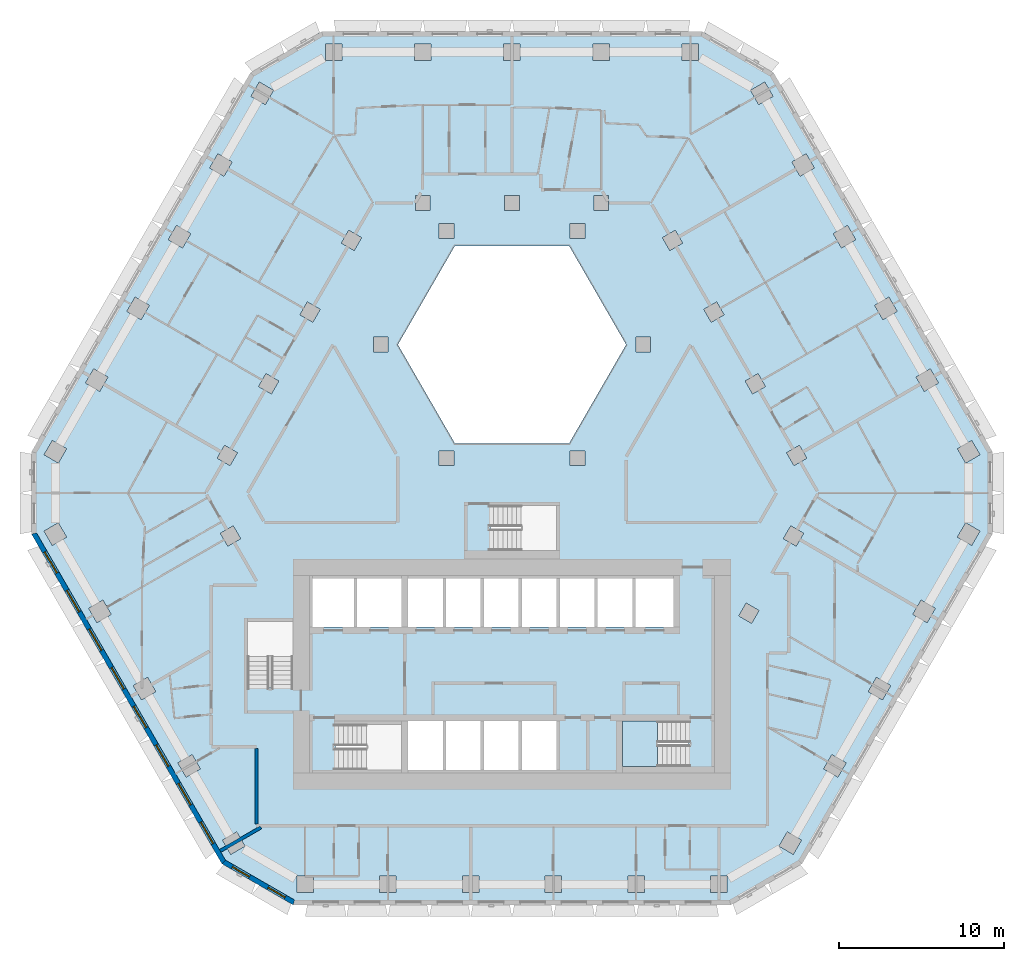
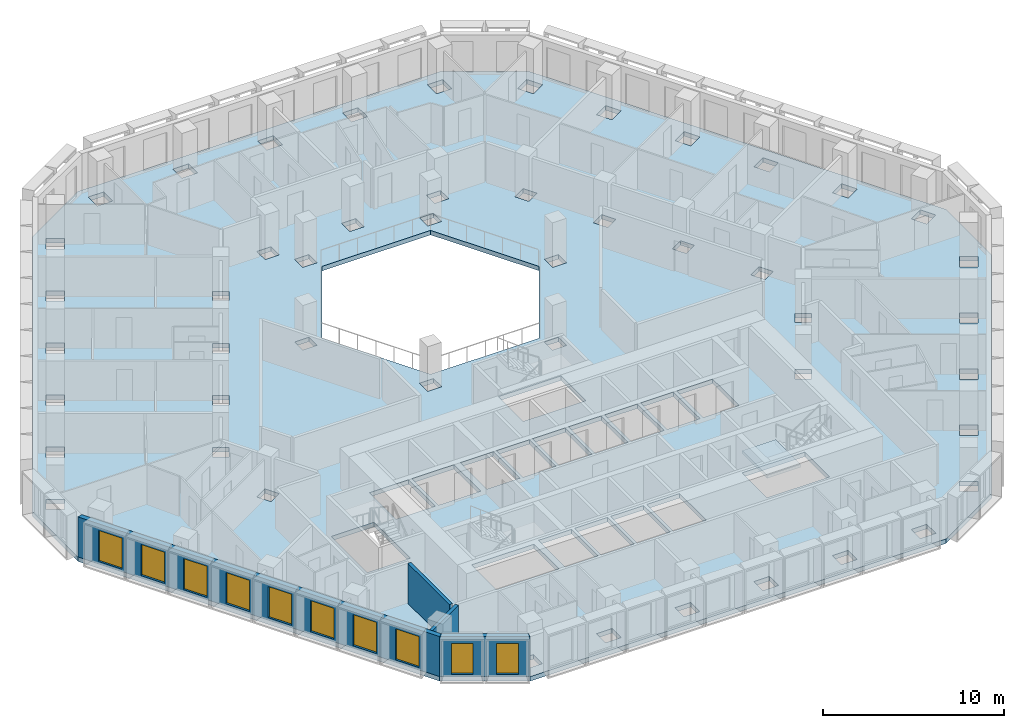
# One storey, part 2 of 18: 10 windows, 4 walls, 2 slabs, 10 openings, 1 element without a shape of its own.
"""IFC4 building model written with IfcOpenShell, lengths in metres."""

from ifc_helpers import new_model, si_unit, direction, frame, frame_2d, origin, place, context, subcontext, project, spatial, polyline, rectangle, outline, extrude, material, layer, layer_set, type_object, element, fill, aggregate, save


model = new_model("IFC4")

# Units and contexts
model_context = context("Model", 3, precision=1e-05, world=origin(), true_north=direction((0.0, 1.0)))
body_context = subcontext(model_context, "Body", "Model", "MODEL_VIEW")
ifc_project = project(units=[si_unit("LENGTHUNIT", "METRE"), si_unit("AREAUNIT", "SQUARE_METRE"), si_unit("VOLUMEUNIT", "CUBIC_METRE"), si_unit("PLANEANGLEUNIT", "RADIAN"), si_unit("MASSUNIT", "GRAM", prefix="KILO")], contexts=[model_context])

# Site, building, storey
site_placement = place(None, origin())
site = spatial("IfcSite", under=ifc_project, at=site_placement, CompositionType="ELEMENT")
building_placement = place(site_placement, origin())
building = spatial("IfcBuilding", under=site, at=building_placement, Name="Beryl Residences", CompositionType="ELEMENT")
storey_placement = place(building_placement, frame((0.0, 0.0, 87.0)))
storey = spatial("IfcBuildingStorey", under=building, at=storey_placement, Name="L26", CompositionType="ELEMENT", Elevation=87.0)

# Slab
ifc_material_1 = material(Name="Concrete C40/50", Category="concrete")
ifc_layer_1 = layer(ifc_material_1, 0.300048828125)
ifc_layer_set_1 = layer_set([ifc_layer_1], Name="SL7 PT floor slab 300 mm C40/50")
slab_type_1 = type_object("IfcSlabType", Name="SL7 PT floor slab 300 mm C40/50", PredefinedType="FLOOR", material=ifc_layer_set_1)
slab_1_placement = place(storey_placement, frame((0.0, 0.0, -0.300048828125)))
element("IfcSlab", 1, at=slab_1_placement, inside=storey, type_object=slab_type_1, Name="L26 slab 1", PredefinedType="FLOOR", context=body_context, shape_type="SweptSolid", body=[
    extrude(outline(polyline([(29.156982421875, -3.5), (17.60888671875, -23.5), (13.279052734375, -26.0), (-13.279052734375, -26.0), (-17.60888671875, -23.5), (-29.156982421875, -3.5), (-29.156982421875, 1.5), (-15.876953125, 24.5), (-11.547119140625, 27.0), (11.547119140625, 27.0), (15.876953125, 24.5), (29.156982421875, 1.5), (29.156982421875, -3.5)]), holes=[polyline([(28.39697265625, 1.31591796875), (27.89697265625, 2.181884765625), (27.031005859375, 1.681884765625), (27.531005859375, 0.81591796875), (28.39697265625, 1.31591796875)]), polyline([(28.39697265625, -3.31591796875), (27.531005859375, -2.81591796875), (27.031005859375, -3.681884765625), (27.89697265625, -4.181884765625), (28.39697265625, -3.31591796875)]), polyline([(25.385009765625, 6.532958984375), (24.51904296875, 6.032958984375), (25.01904296875, 5.1669921875), (25.885009765625, 5.6669921875), (25.385009765625, 6.532958984375)]), polyline([(25.68994140625, -8.00390625), (24.823974609375, -7.50390625), (24.323974609375, -8.3701171875), (25.18994140625, -8.8701171875), (25.68994140625, -8.00390625)]), polyline([(22.873046875, 10.883056640625), (22.007080078125, 10.383056640625), (22.507080078125, 9.51708984375), (23.373046875, 10.01708984375), (22.873046875, 10.883056640625)]), polyline([(22.116943359375, -12.19189453125), (21.616943359375, -13.05810546875), (22.48291015625, -13.55810546875), (22.98291015625, -12.69189453125), (22.116943359375, -12.19189453125)]), polyline([(20.362060546875, 15.23291015625), (19.49609375, 14.73291015625), (19.99609375, 13.866943359375), (20.862060546875, 14.366943359375), (20.362060546875, 15.23291015625)]), polyline([(19.777099609375, -18.24609375), (20.277099609375, -17.3798828125), (19.410888671875, -16.8798828125), (18.910888671875, -17.74609375), (19.777099609375, -18.24609375)]), polyline([(17.85009765625, 19.5830078125), (16.98388671875, 19.0830078125), (17.48388671875, 18.217041015625), (18.35009765625, 18.717041015625), (17.85009765625, 19.5830078125)]), polyline([(17.443115234375, 1.888916015625), (16.6630859375, 1.43896484375), (17.113037109375, 0.658935546875), (17.89306640625, 1.10888671875), (17.443115234375, 1.888916015625)]), polyline([(17.697998046875, -3.447021484375), (16.91796875, -2.9970703125), (16.468017578125, -3.777099609375), (17.248046875, -4.22705078125), (17.697998046875, -3.447021484375)]), polyline([(17.570068359375, -22.068115234375), (16.7041015625, -21.568115234375), (16.2041015625, -22.43408203125), (17.070068359375, -22.93408203125), (17.570068359375, -22.068115234375)]), polyline([(15.839111328125, 23.06689453125), (15.339111328125, 23.93310546875), (14.472900390625, 23.43310546875), (14.972900390625, 22.56689453125), (15.839111328125, 23.06689453125)]), polyline([(14.930908203125, 6.239990234375), (14.15087890625, 5.7900390625), (14.60107421875, 5.010009765625), (15.381103515625, 5.4599609375), (14.930908203125, 6.239990234375)]), polyline([(14.990966796875, -8.135009765625), (14.2109375, -7.68505859375), (13.760986328125, -8.465087890625), (14.541015625, -8.9150390625), (14.990966796875, -8.135009765625)]), polyline([(13.05810546875, -25.25), (13.05810546875, -24.25), (12.05810546875, -24.25), (12.05810546875, -25.25), (13.05810546875, -25.25)]), polyline([(12.419921875, 10.590087890625), (11.639892578125, 10.139892578125), (12.090087890625, 9.360107421875), (12.8701171875, 9.81005859375), (12.419921875, 10.590087890625)]), polyline([(11.324951171875, 26.25), (10.324951171875, 26.25), (10.324951171875, 25.25), (11.324951171875, 25.25), (11.324951171875, 26.25)]), polyline([(10.699951171875, -14.85009765625), (6.699951171875, -14.85009765625), (6.699951171875, -17.60009765625), (10.699951171875, -17.60009765625), (10.699951171875, -14.85009765625)]), polyline([(9.1279296875, 14.489990234375), (9.577880859375, 13.7099609375), (10.35791015625, 14.159912109375), (9.907958984375, 14.93994140625), (9.1279296875, 14.489990234375)]), polyline([(9.800048828125, -6.199951171875), (7.5, -6.199951171875), (7.5, -9.14990234375), (9.800048828125, -9.14990234375), (9.800048828125, -6.199951171875)]), polyline([(8.4169921875, 7.550048828125), (8.4169921875, 8.449951171875), (7.51708984375, 8.449951171875), (7.51708984375, 7.550048828125), (8.4169921875, 7.550048828125)]), polyline([(8.034912109375, -25.25), (8.034912109375, -24.25), (7.034912109375, -24.25), (7.034912109375, -25.25), (8.034912109375, -25.25)]), polyline([(5.199951171875, -6.199951171875), (5.199951171875, -9.14990234375), (7.300048828125, -9.14990234375), (7.300048828125, -6.199951171875), (5.199951171875, -6.199951171875)]), polyline([(3.464111328125, 14.0), (-3.464111328125, 14.0), (-6.92822265625, 8.0), (-3.464111328125, 2.0), (3.464111328125, 2.0), (6.92822265625, 8.0), (3.464111328125, 14.0)]), polyline([(4.912109375, 26.25), (4.912109375, 25.25), (5.912109375, 25.25), (5.912109375, 26.25), (4.912109375, 26.25)]), polyline([(4.9619140625, 17.050048828125), (4.9619140625, 16.14990234375), (5.862060546875, 16.14990234375), (5.862060546875, 17.050048828125), (4.9619140625, 17.050048828125)]), polyline([(2.89990234375, -9.14990234375), (5.0, -9.14990234375), (5.0, -6.199951171875), (2.89990234375, -6.199951171875), (2.89990234375, -9.14990234375)]), polyline([(4.43408203125, 14.449951171875), (4.43408203125, 15.35009765625), (3.533935546875, 15.35009765625), (3.533935546875, 14.449951171875), (4.43408203125, 14.449951171875)]), polyline([(4.43408203125, 0.64990234375), (4.43408203125, 1.550048828125), (3.533935546875, 1.550048828125), (3.533935546875, 0.64990234375), (4.43408203125, 0.64990234375)]), polyline([(2.011962890625, -25.25), (3.011962890625, -25.25), (3.011962890625, -24.25), (2.011962890625, -24.25), (2.011962890625, -25.25)]), polyline([(0.60009765625, -6.199951171875), (0.60009765625, -9.14990234375), (2.699951171875, -9.14990234375), (2.699951171875, -6.199951171875), (0.60009765625, -6.199951171875)]), polyline([(0.60009765625, -17.800048828125), (2.699951171875, -17.800048828125), (2.699951171875, -14.85009765625), (0.60009765625, -14.85009765625), (0.60009765625, -17.800048828125)]), polyline([(-1.300048828125, -1.75), (-1.300048828125, -4.5), (2.699951171875, -4.5), (2.699951171875, -1.75), (-1.300048828125, -1.75)]), polyline([(-0.5009765625, 25.25), (0.4990234375, 25.25), (0.4990234375, 26.25), (-0.5009765625, 26.25), (-0.5009765625, 25.25)]), polyline([(-0.450927734375, 17.050048828125), (-0.450927734375, 16.14990234375), (0.448974609375, 16.14990234375), (0.448974609375, 17.050048828125), (-0.450927734375, 17.050048828125)]), polyline([(-1.699951171875, -9.14990234375), (0.39990234375, -9.14990234375), (0.39990234375, -6.199951171875), (-1.699951171875, -6.199951171875), (-1.699951171875, -9.14990234375)]), polyline([(-1.699951171875, -17.800048828125), (0.39990234375, -17.800048828125), (0.39990234375, -14.85009765625), (-1.699951171875, -14.85009765625), (-1.699951171875, -17.800048828125)]), polyline([(-4.0, -9.14990234375), (-1.89990234375, -9.14990234375), (-1.89990234375, -6.199951171875), (-4.0, -6.199951171875), (-4.0, -9.14990234375)]), polyline([(-4.0, -17.800048828125), (-1.89990234375, -17.800048828125), (-1.89990234375, -14.85009765625), (-4.0, -14.85009765625), (-4.0, -17.800048828125)]), polyline([(-2.010986328125, -25.25), (-2.010986328125, -24.25), (-3.010986328125, -24.25), (-3.010986328125, -25.25), (-2.010986328125, -25.25)]), polyline([(-3.533935546875, 14.449951171875), (-3.533935546875, 15.35009765625), (-4.43408203125, 15.35009765625), (-4.43408203125, 14.449951171875), (-3.533935546875, 14.449951171875)]), polyline([(-3.533935546875, 0.64990234375), (-3.533935546875, 1.550048828125), (-4.43408203125, 1.550048828125), (-4.43408203125, 0.64990234375), (-3.533935546875, 0.64990234375)]), polyline([(-6.300048828125, -17.800048828125), (-4.199951171875, -17.800048828125), (-4.199951171875, -14.85009765625), (-6.300048828125, -14.85009765625), (-6.300048828125, -17.800048828125)]), polyline([(-6.300048828125, -9.14990234375), (-4.199951171875, -9.14990234375), (-4.199951171875, -6.199951171875), (-6.300048828125, -6.199951171875), (-6.300048828125, -9.14990234375)]), polyline([(-5.9140625, 26.25), (-5.9140625, 25.25), (-4.9140625, 25.25), (-4.9140625, 26.25), (-5.9140625, 26.25)]), polyline([(-5.864013671875, 16.14990234375), (-4.964111328125, 16.14990234375), (-4.964111328125, 17.050048828125), (-5.864013671875, 17.050048828125), (-5.864013671875, 16.14990234375)]), polyline([(-6.699951171875, -17.800048828125), (-6.699951171875, -15.050048828125), (-10.699951171875, -15.050048828125), (-10.699951171875, -17.800048828125), (-6.699951171875, -17.800048828125)]), polyline([(-9.39990234375, -9.14990234375), (-6.699951171875, -9.14990234375), (-6.699951171875, -6.199951171875), (-9.39990234375, -6.199951171875), (-9.39990234375, -9.14990234375)]), polyline([(-7.033935546875, -25.25), (-7.033935546875, -24.25), (-8.033935546875, -24.25), (-8.033935546875, -25.25), (-7.033935546875, -25.25)]), polyline([(-8.4169921875, 7.550048828125), (-7.51708984375, 7.550048828125), (-7.51708984375, 8.449951171875), (-8.4169921875, 8.449951171875), (-8.4169921875, 7.550048828125)]), polyline([(-9.577880859375, 13.7099609375), (-9.1279296875, 14.489990234375), (-9.907958984375, 14.93994140625), (-10.35791015625, 14.159912109375), (-9.577880859375, 13.7099609375)]), polyline([(-12.10009765625, -9.14990234375), (-9.60009765625, -9.14990234375), (-9.60009765625, -6.199951171875), (-12.10009765625, -6.199951171875), (-12.10009765625, -9.14990234375)]), polyline([(-11.326904296875, 26.25), (-11.326904296875, 25.25), (-10.326904296875, 25.25), (-10.326904296875, 26.25), (-11.326904296875, 26.25)]), polyline([(-12.868896484375, 9.81005859375), (-12.089111328125, 9.360107421875), (-11.638916015625, 10.139892578125), (-12.4189453125, 10.590087890625), (-12.868896484375, 9.81005859375)]), polyline([(-12.056884765625, -24.25), (-13.056884765625, -24.25), (-13.056884765625, -25.25), (-12.056884765625, -25.25), (-12.056884765625, -24.25)]), polyline([(-13.300048828125, -8.800048828125), (-16.050048828125, -8.800048828125), (-16.050048828125, -12.800048828125), (-13.300048828125, -12.800048828125), (-13.300048828125, -8.800048828125)]), polyline([(-15.381103515625, 5.4599609375), (-14.60107421875, 5.010009765625), (-14.15087890625, 5.7900390625), (-14.930908203125, 6.239990234375), (-15.381103515625, 5.4599609375)]), polyline([(-14.971923828125, 22.568115234375), (-14.471923828125, 23.43408203125), (-15.337890625, 23.93408203125), (-15.837890625, 23.068115234375), (-14.971923828125, 22.568115234375)]), polyline([(-17.070068359375, -22.93408203125), (-16.2041015625, -22.43408203125), (-16.7041015625, -21.568115234375), (-17.570068359375, -22.068115234375), (-17.070068359375, -22.93408203125)]), polyline([(-17.248046875, -4.22705078125), (-16.468017578125, -3.777099609375), (-16.91796875, -2.9970703125), (-17.697998046875, -3.447021484375), (-17.248046875, -4.22705078125)]), polyline([(-17.89208984375, 1.110107421875), (-17.112060546875, 0.659912109375), (-16.662109375, 1.43994140625), (-17.44189453125, 1.889892578125), (-17.89208984375, 1.110107421875)]), polyline([(-18.35009765625, 18.717041015625), (-17.48388671875, 18.217041015625), (-16.98388671875, 19.0830078125), (-17.85009765625, 19.5830078125), (-18.35009765625, 18.717041015625)]), polyline([(-19.777099609375, -18.24609375), (-18.910888671875, -17.74609375), (-19.410888671875, -16.8798828125), (-20.277099609375, -17.3798828125), (-19.777099609375, -18.24609375)]), polyline([(-20.861083984375, 14.366943359375), (-19.9951171875, 13.866943359375), (-19.4951171875, 14.73291015625), (-20.361083984375, 15.23291015625), (-20.861083984375, 14.366943359375)]), polyline([(-21.616943359375, -13.05810546875), (-22.116943359375, -12.19189453125), (-22.98291015625, -12.69189453125), (-22.48291015625, -13.55810546875), (-21.616943359375, -13.05810546875)]), polyline([(-23.373046875, 10.01708984375), (-22.507080078125, 9.51708984375), (-22.007080078125, 10.383056640625), (-22.873046875, 10.883056640625), (-23.373046875, 10.01708984375)]), polyline([(-25.18994140625, -8.8701171875), (-24.323974609375, -8.3701171875), (-24.823974609375, -7.50390625), (-25.68994140625, -8.00390625), (-25.18994140625, -8.8701171875)]), polyline([(-25.385009765625, 6.532958984375), (-25.885009765625, 5.6669921875), (-25.01904296875, 5.1669921875), (-24.51904296875, 6.032958984375), (-25.385009765625, 6.532958984375)]), polyline([(-28.39599609375, 1.31689453125), (-27.530029296875, 0.81689453125), (-27.030029296875, 1.68310546875), (-27.89599609375, 2.18310546875), (-28.39599609375, 1.31689453125)]), polyline([(-27.031005859375, -3.681884765625), (-27.531005859375, -2.81591796875), (-28.39697265625, -3.31591796875), (-27.89697265625, -4.181884765625), (-27.031005859375, -3.681884765625)])]), origin(), (0.0, 0.0, 1.0), 0.300048828125),
])

# Stair, slab
ifc_material_2 = material(Name="Concrete C40/50", Category="concrete")
stair_type = type_object("IfcStairType", Name="ST1 protected exit stair, half-turn, 1300 mm flights", PredefinedType="HALF_TURN_STAIR", material=ifc_material_2)
stair_placement = place(storey_placement, origin())
stair = element("IfcStair", 2, at=stair_placement, inside=storey, type_object=stair_type, Name="L26 PROTECTED EXIT STAIR ST-3", PredefinedType="HALF_TURN_STAIR")
ifc_material_3 = material(Name="Concrete C40/50", Category="concrete")
ifc_layer_2 = layer(ifc_material_3, 0.199951171875)
ifc_layer_set_2 = layer_set([ifc_layer_2], Name="SLD1 stair landing 200 mm")
slab_type_2 = type_object("IfcSlabType", Name="SLD1 stair landing 200 mm", PredefinedType="LANDING", material=ifc_layer_set_2)
slab_2_placement = place(storey_placement, frame((0.0, 0.0, 1.300048828125)))
slab_2 = element("IfcSlab", 3, at=slab_2_placement, type_object=slab_type_2, Name="ST-3 landing 1", PredefinedType="LANDING", context=body_context, shape_type="SweptSolid", body=[
    extrude(outline(polyline([(8.840087890625, -14.85009765625), (6.699951171875, -14.85009765625), (6.699951171875, -17.60009765625), (8.840087890625, -17.60009765625), (8.840087890625, -14.85009765625)])), origin(), (0.0, 0.0, 1.0), 0.199951171875),
])
aggregate(stair, [slab_2])

# Wall, openings, windows
ifc_material_4 = material(Name="Composite metal panel with mineral wool insulation")
ifc_layer_3 = layer(ifc_material_4, 0.300048828125)
ifc_layer_set_3 = layer_set([ifc_layer_3], Name="ES1 pale metal composite panel wall 300 mm")
wall_type_1 = type_object("IfcWallType", Name="ES1 pale metal composite panel wall 300 mm", PredefinedType="SOLIDWALL", material=ifc_layer_set_3)
wall_1_placement = place(storey_placement, frame((-29.027099609375, -3.425048828125, 0.0), z_axis=(0.0, 0.0, 1.0), x_axis=(0.500035407905, -0.866004960056, 0.0)))
wall_1 = element("IfcWall", 4, at=wall_1_placement, inside=storey, type_object=wall_type_1, Name="ES1 external wall L26 SW", PredefinedType="SOLIDWALL", context=body_context, shape_type="SweptSolid", body=[
    extrude(outline(polyline([(0.0, -0.14990234375), (23.094482421875, -0.14990234375), (23.01416015625, 0.14990234375), (0.080322265625, 0.14990234375), (0.0, -0.14990234375)])), origin(), (0.0, 0.0, 1.0), 2.699951171875),
])
opening_1_placement = place(wall_1_placement, frame((1.323974609375, 0.0, 0.14990234375)))
opening_1 = element("IfcOpeningElement", 5, at=opening_1_placement, cuts=wall_1, Name="Opening W1", PredefinedType="OPENING", context=body_context, shape_type="SweptSolid", body=[
    extrude(rectangle(XDim=1.5, YDim=2.10009765625, at=frame_2d((0.75, 1.050048828125))), frame((0.0, 0.159912109375, 0.0), z_axis=(0.0, -1.0, 0.0), x_axis=(1.0, 0.0, 0.0)), (0.0, 0.0, 1.0), 0.320068359375),
])
opening_2_placement = place(wall_1_placement, frame((4.031005859375, 0.0, 0.14990234375)))
opening_2 = element("IfcOpeningElement", 6, at=opening_2_placement, cuts=wall_1, Name="Opening W1", PredefinedType="OPENING", context=body_context, shape_type="SweptSolid", body=[
    extrude(rectangle(XDim=1.5, YDim=2.10009765625, at=frame_2d((0.75, 1.050048828125))), frame((0.0, 0.159912109375, 0.0), z_axis=(0.0, -1.0, 0.0), x_axis=(1.0, 0.0, 0.0)), (0.0, 0.0, 1.0), 0.320068359375),
])
opening_3_placement = place(wall_1_placement, frame((6.737060546875, 0.0, 0.14990234375)))
opening_3 = element("IfcOpeningElement", 7, at=opening_3_placement, cuts=wall_1, Name="Opening W1", PredefinedType="OPENING", context=body_context, shape_type="SweptSolid", body=[
    extrude(rectangle(XDim=1.5, YDim=2.10009765625, at=frame_2d((0.75, 1.050048828125))), frame((0.0, 0.159912109375, 0.0), z_axis=(0.0, -1.0, 0.0), x_axis=(1.0, 0.0, 0.0)), (0.0, 0.0, 1.0), 0.320068359375),
])
opening_4_placement = place(wall_1_placement, frame((9.444091796875, 0.0, 0.14990234375)))
opening_4 = element("IfcOpeningElement", 8, at=opening_4_placement, cuts=wall_1, Name="Opening W1", PredefinedType="OPENING", context=body_context, shape_type="SweptSolid", body=[
    extrude(rectangle(XDim=1.5, YDim=2.10009765625, at=frame_2d((0.75, 1.050048828125))), frame((0.0, 0.159912109375, 0.0), z_axis=(0.0, -1.0, 0.0), x_axis=(1.0, 0.0, 0.0)), (0.0, 0.0, 1.0), 0.320068359375),
])
opening_5_placement = place(wall_1_placement, frame((12.15087890625, 0.0, 0.14990234375)))
opening_5 = element("IfcOpeningElement", 9, at=opening_5_placement, cuts=wall_1, Name="Opening W1", PredefinedType="OPENING", context=body_context, shape_type="SweptSolid", body=[
    extrude(rectangle(XDim=1.5, YDim=2.10009765625, at=frame_2d((0.75, 1.050048828125))), frame((0.0, 0.159912109375, 0.0), z_axis=(0.0, -1.0, 0.0), x_axis=(1.0, 0.0, 0.0)), (0.0, 0.0, 1.0), 0.320068359375),
])
opening_6_placement = place(wall_1_placement, frame((14.85693359375, 0.0, 0.14990234375)))
opening_6 = element("IfcOpeningElement", 10, at=opening_6_placement, cuts=wall_1, Name="Opening W1", PredefinedType="OPENING", context=body_context, shape_type="SweptSolid", body=[
    extrude(rectangle(XDim=1.5, YDim=2.10009765625, at=frame_2d((0.75, 1.050048828125))), frame((0.0, 0.159912109375, 0.0), z_axis=(0.0, -1.0, 0.0), x_axis=(1.0, 0.0, 0.0)), (0.0, 0.0, 1.0), 0.320068359375),
])
opening_7_placement = place(wall_1_placement, frame((17.56396484375, 0.0, 0.14990234375)))
opening_7 = element("IfcOpeningElement", 11, at=opening_7_placement, cuts=wall_1, Name="Opening W1", PredefinedType="OPENING", context=body_context, shape_type="SweptSolid", body=[
    extrude(rectangle(XDim=1.5, YDim=2.10009765625, at=frame_2d((0.75, 1.050048828125))), frame((0.0, 0.159912109375, 0.0), z_axis=(0.0, -1.0, 0.0), x_axis=(1.0, 0.0, 0.0)), (0.0, 0.0, 1.0), 0.320068359375),
])
opening_8_placement = place(wall_1_placement, frame((20.27001953125, 0.0, 0.14990234375)))
opening_8 = element("IfcOpeningElement", 12, at=opening_8_placement, cuts=wall_1, Name="Opening W1", PredefinedType="OPENING", context=body_context, shape_type="SweptSolid", body=[
    extrude(rectangle(XDim=1.5, YDim=2.10009765625, at=frame_2d((0.75, 1.050048828125))), frame((0.0, 0.159912109375, 0.0), z_axis=(0.0, -1.0, 0.0), x_axis=(1.0, 0.0, 0.0)), (0.0, 0.0, 1.0), 0.320068359375),
])
ifc_material_5 = material(Name="Aluminium and clear glass", Category="aluminium")
window_type_1 = type_object("IfcWindowType", Name="W1 cell window 1500 x 2100 mm", PartitioningType="SINGLE_PANEL", PredefinedType="WINDOW", material=ifc_material_5)
window_1_placement = place(opening_1_placement, origin())
window_1 = element("IfcWindow", 13, at=window_1_placement, inside=storey, type_object=window_type_1, Name="W1 window L26 SW 1", OverallHeight=2.10009765625, OverallWidth=1.5, PartitioningType="SINGLE_PANEL", PredefinedType="WINDOW", context=body_context, shape_type="SweptSolid", body=[
    extrude(rectangle(XDim=1.5, YDim=2.10009765625, at=frame_2d((0.75, 1.050048828125))), frame((0.0, 0.030029296875, 0.0), z_axis=(0.0, -1.0, 0.0), x_axis=(1.0, 0.0, 0.0)), (0.0, 0.0, 1.0), 0.06005859375),
])
fill(opening_1, window_1)
window_2_placement = place(opening_2_placement, origin())
window_2 = element("IfcWindow", 14, at=window_2_placement, inside=storey, type_object=window_type_1, Name="W1 window L26 SW 2", OverallHeight=2.10009765625, OverallWidth=1.5, PartitioningType="SINGLE_PANEL", PredefinedType="WINDOW", context=body_context, shape_type="SweptSolid", body=[
    extrude(rectangle(XDim=1.5, YDim=2.10009765625, at=frame_2d((0.75, 1.050048828125))), frame((0.0, 0.030029296875, 0.0), z_axis=(0.0, -1.0, 0.0), x_axis=(1.0, 0.0, 0.0)), (0.0, 0.0, 1.0), 0.06005859375),
])
fill(opening_2, window_2)
window_3_placement = place(opening_3_placement, origin())
window_3 = element("IfcWindow", 15, at=window_3_placement, inside=storey, type_object=window_type_1, Name="W1 window L26 SW 3", OverallHeight=2.10009765625, OverallWidth=1.5, PartitioningType="SINGLE_PANEL", PredefinedType="WINDOW", context=body_context, shape_type="SweptSolid", body=[
    extrude(rectangle(XDim=1.5, YDim=2.10009765625, at=frame_2d((0.75, 1.050048828125))), frame((0.0, 0.030029296875, 0.0), z_axis=(0.0, -1.0, 0.0), x_axis=(1.0, 0.0, 0.0)), (0.0, 0.0, 1.0), 0.06005859375),
])
fill(opening_3, window_3)
window_4_placement = place(opening_4_placement, origin())
window_4 = element("IfcWindow", 16, at=window_4_placement, inside=storey, type_object=window_type_1, Name="W1 window L26 SW 4", OverallHeight=2.10009765625, OverallWidth=1.5, PartitioningType="SINGLE_PANEL", PredefinedType="WINDOW", context=body_context, shape_type="SweptSolid", body=[
    extrude(rectangle(XDim=1.5, YDim=2.10009765625, at=frame_2d((0.75, 1.050048828125))), frame((0.0, 0.030029296875, 0.0), z_axis=(0.0, -1.0, 0.0), x_axis=(1.0, 0.0, 0.0)), (0.0, 0.0, 1.0), 0.06005859375),
])
fill(opening_4, window_4)
window_5_placement = place(opening_5_placement, origin())
window_5 = element("IfcWindow", 17, at=window_5_placement, inside=storey, type_object=window_type_1, Name="W1 window L26 SW 5", OverallHeight=2.10009765625, OverallWidth=1.5, PartitioningType="SINGLE_PANEL", PredefinedType="WINDOW", context=body_context, shape_type="SweptSolid", body=[
    extrude(rectangle(XDim=1.5, YDim=2.10009765625, at=frame_2d((0.75, 1.050048828125))), frame((0.0, 0.030029296875, 0.0), z_axis=(0.0, -1.0, 0.0), x_axis=(1.0, 0.0, 0.0)), (0.0, 0.0, 1.0), 0.06005859375),
])
fill(opening_5, window_5)
window_6_placement = place(opening_6_placement, origin())
window_6 = element("IfcWindow", 18, at=window_6_placement, inside=storey, type_object=window_type_1, Name="W1 window L26 SW 6", OverallHeight=2.10009765625, OverallWidth=1.5, PartitioningType="SINGLE_PANEL", PredefinedType="WINDOW", context=body_context, shape_type="SweptSolid", body=[
    extrude(rectangle(XDim=1.5, YDim=2.10009765625, at=frame_2d((0.75, 1.050048828125))), frame((0.0, 0.030029296875, 0.0), z_axis=(0.0, -1.0, 0.0), x_axis=(1.0, 0.0, 0.0)), (0.0, 0.0, 1.0), 0.06005859375),
])
fill(opening_6, window_6)
window_7_placement = place(opening_7_placement, origin())
window_7 = element("IfcWindow", 19, at=window_7_placement, inside=storey, type_object=window_type_1, Name="W1 window L26 SW 7", OverallHeight=2.10009765625, OverallWidth=1.5, PartitioningType="SINGLE_PANEL", PredefinedType="WINDOW", context=body_context, shape_type="SweptSolid", body=[
    extrude(rectangle(XDim=1.5, YDim=2.10009765625, at=frame_2d((0.75, 1.050048828125))), frame((0.0, 0.030029296875, 0.0), z_axis=(0.0, -1.0, 0.0), x_axis=(1.0, 0.0, 0.0)), (0.0, 0.0, 1.0), 0.06005859375),
])
fill(opening_7, window_7)
window_8_placement = place(opening_8_placement, origin())
window_8 = element("IfcWindow", 20, at=window_8_placement, inside=storey, type_object=window_type_1, Name="W1 window L26 SW 8", OverallHeight=2.10009765625, OverallWidth=1.5, PartitioningType="SINGLE_PANEL", PredefinedType="WINDOW", context=body_context, shape_type="SweptSolid", body=[
    extrude(rectangle(XDim=1.5, YDim=2.10009765625, at=frame_2d((0.75, 1.050048828125))), frame((0.0, 0.030029296875, 0.0), z_axis=(0.0, -1.0, 0.0), x_axis=(1.0, 0.0, 0.0)), (0.0, 0.0, 1.0), 0.06005859375),
])
fill(opening_8, window_8)

wall_2_placement = place(storey_placement, frame((-17.533935546875, -23.3701171875, 0.0), z_axis=(0.0, 0.0, 1.0), x_axis=(0.866010750942, -0.50002537861, 0.0)))
wall_2 = element("IfcWall", 21, at=wall_2_placement, inside=storey, type_object=wall_type_1, Name="ES1 external wall L26 SW-S", PredefinedType="SOLIDWALL", context=body_context, shape_type="SweptSolid", body=[
    extrude(outline(polyline([(0.0, -0.14990234375), (4.999755859375, -0.14990234375), (4.91943359375, 0.14990234375), (0.080322265625, 0.14990234375), (0.0, -0.14990234375)])), origin(), (0.0, 0.0, 1.0), 2.699951171875),
])
opening_9_placement = place(wall_2_placement, frame((0.64990234375, 0.0, 0.14990234375)))
opening_9 = element("IfcOpeningElement", 22, at=opening_9_placement, cuts=wall_2, Name="Opening W2", PredefinedType="OPENING", context=body_context, shape_type="SweptSolid", body=[
    extrude(rectangle(XDim=1.199951171875, YDim=2.10009765625, at=frame_2d((0.60009765625, 1.050048828125))), frame((0.0, 0.159912109375, 0.0), z_axis=(0.0, -1.0, 0.0), x_axis=(1.0, 0.0, 0.0)), (0.0, 0.0, 1.0), 0.320068359375),
])
opening_10_placement = place(wall_2_placement, frame((3.14990234375, 0.0, 0.14990234375)))
opening_10 = element("IfcOpeningElement", 23, at=opening_10_placement, cuts=wall_2, Name="Opening W2", PredefinedType="OPENING", context=body_context, shape_type="SweptSolid", body=[
    extrude(rectangle(XDim=1.199951171875, YDim=2.10009765625, at=frame_2d((0.60009765625, 1.050048828125))), frame((0.0, 0.159912109375, 0.0), z_axis=(0.0, -1.0, 0.0), x_axis=(1.0, 0.0, 0.0)), (0.0, 0.0, 1.0), 0.320068359375),
])
ifc_material_6 = material(Name="Aluminium and clear glass", Category="aluminium")
window_type_2 = type_object("IfcWindowType", Name="W2 chamfer window 1200 x 2100 mm", PartitioningType="SINGLE_PANEL", PredefinedType="WINDOW", material=ifc_material_6)
window_9_placement = place(opening_9_placement, origin())
window_9 = element("IfcWindow", 24, at=window_9_placement, inside=storey, type_object=window_type_2, Name="W2 window L26 SW-S 1", OverallHeight=2.10009765625, OverallWidth=1.199951171875, PartitioningType="SINGLE_PANEL", PredefinedType="WINDOW", context=body_context, shape_type="SweptSolid", body=[
    extrude(rectangle(XDim=1.199951171875, YDim=2.10009765625, at=frame_2d((0.60009765625, 1.050048828125))), frame((0.0, 0.030029296875, 0.0), z_axis=(0.0, -1.0, 0.0), x_axis=(1.0, 0.0, 0.0)), (0.0, 0.0, 1.0), 0.06005859375),
])
fill(opening_9, window_9)
window_10_placement = place(opening_10_placement, origin())
window_10 = element("IfcWindow", 25, at=window_10_placement, inside=storey, type_object=window_type_2, Name="W2 window L26 SW-S 2", OverallHeight=2.10009765625, OverallWidth=1.199951171875, PartitioningType="SINGLE_PANEL", PredefinedType="WINDOW", context=body_context, shape_type="SweptSolid", body=[
    extrude(rectangle(XDim=1.199951171875, YDim=2.10009765625, at=frame_2d((0.60009765625, 1.050048828125))), frame((0.0, 0.030029296875, 0.0), z_axis=(0.0, -1.0, 0.0), x_axis=(1.0, 0.0, 0.0)), (0.0, 0.0, 1.0), 0.06005859375),
])
fill(opening_10, window_10)

# Walls
ifc_material_7 = material(Name="Acoustic double stud gypsum board wall")
ifc_layer_4 = layer(ifc_material_7, 0.199951171875)
ifc_layer_set_4 = layer_set([ifc_layer_4], Name="PT3 party wall 200 mm acoustic double stud")
wall_type_2 = type_object("IfcWallType", Name="PT3 party wall 200 mm acoustic double stud", PredefinedType="PARTITIONING", material=ifc_layer_set_4)
wall_3_placement = place(storey_placement, frame((-17.708984375, -22.72509765625, 0.0), z_axis=(0.0, 0.0, 1.0), x_axis=(0.866090043625, 0.499888023795, 0.0)))
element("IfcWall", 26, at=wall_3_placement, inside=storey, type_object=wall_type_2, Name="Wall PT3 L26 010", PredefinedType="PARTITIONING", context=body_context, shape_type="SweptSolid", body=[
    extrude(rectangle(XDim=2.850830078125, YDim=0.199951171875, at=frame_2d((1.42529296875, 0.0))), origin(), (0.0, 0.0, 1.0), 2.699951171875),
])
ifc_material_8 = material(Name="Double stud gypsum board wall")
ifc_layer_5 = layer(ifc_material_8, 0.199951171875)
ifc_layer_set_5 = layer_set([ifc_layer_5], Name="PT4 corridor wall 200 mm double stud")
wall_type_3 = type_object("IfcWallType", Name="PT4 corridor wall 200 mm double stud", PredefinedType="PARTITIONING", material=ifc_layer_set_5)
wall_4_placement = place(storey_placement, frame((-15.5, -16.5009765625, 0.0), z_axis=(0.0, 0.0, 1.0), x_axis=(0.0, -1.0, 0.0)))
element("IfcWall", 27, at=wall_4_placement, inside=storey, type_object=wall_type_3, Name="Wall PT4 L26 007", PredefinedType="PARTITIONING", context=body_context, shape_type="SweptSolid", body=[
    extrude(rectangle(XDim=4.59814453125, YDim=0.199951171875, at=frame_2d((2.299072265625, 0.0))), origin(), (0.0, 0.0, 1.0), 2.699951171875),
])

save(model, "model.ifc")
